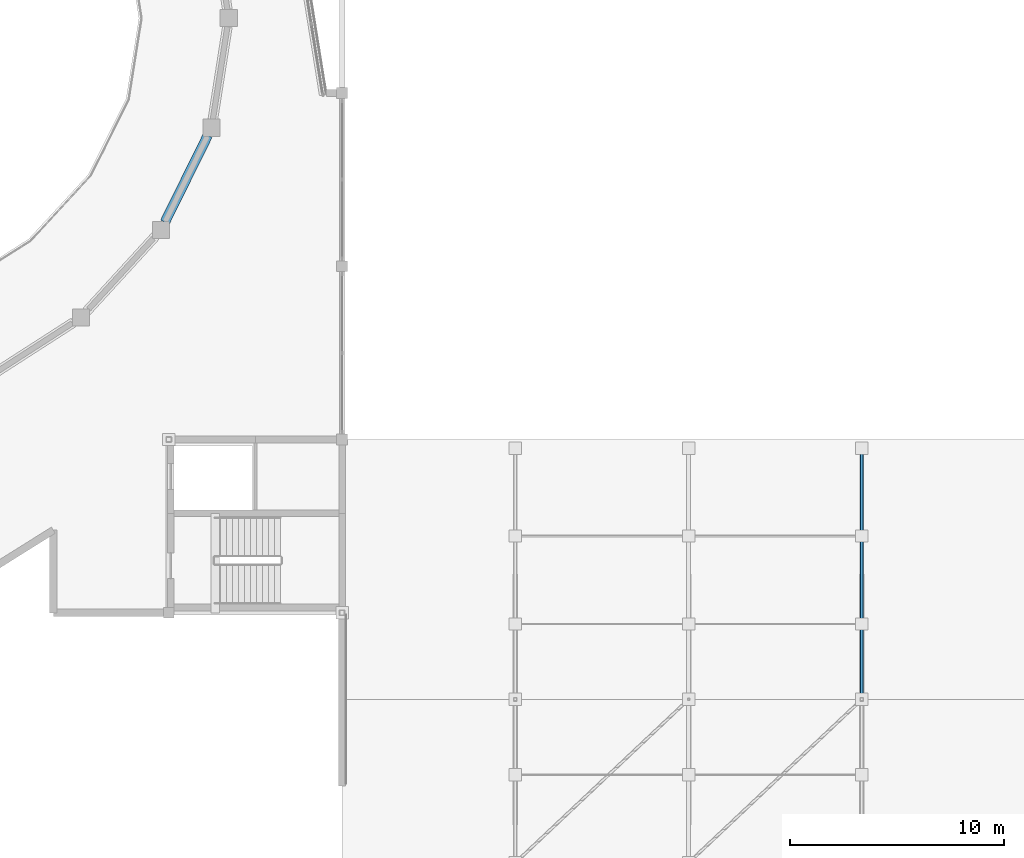
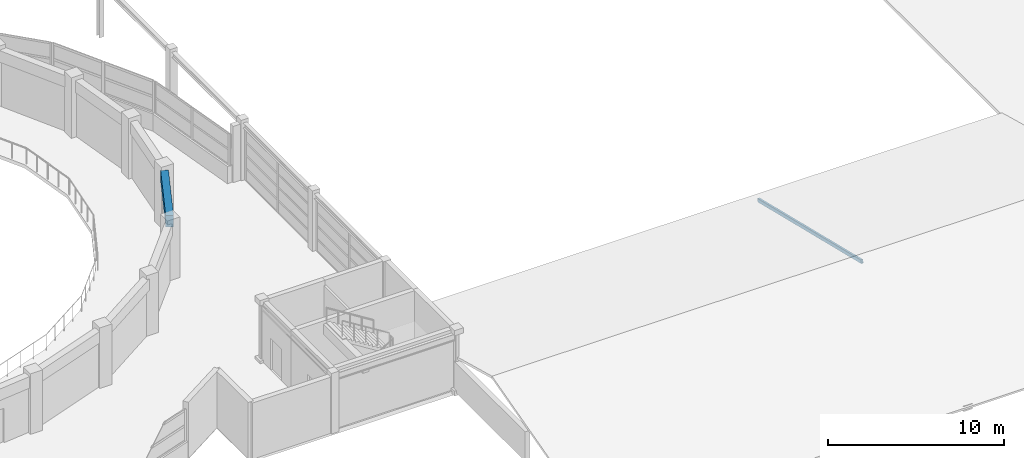
# One storey, part 20 of 54: 1 beam, 1 member.
"""IFC4 building model written with IfcOpenShell, lengths in metres."""

from ifc_helpers import new_model, si_unit, direction, frame, origin, origin_2d, place, context, subcontext, project, spatial, rectangle, hollow_rectangle, extrude, material, material_profile, profile_set, type_object, element, save


model = new_model("IFC4")

# Units and contexts
model_context = context("Model", 3, precision=1e-05, world=origin(), true_north=direction((0.0, 1.0)))
body_context = subcontext(model_context, "Body", "Model", "MODEL_VIEW")
ifc_project = project(units=[si_unit("LENGTHUNIT", "METRE"), si_unit("AREAUNIT", "SQUARE_METRE"), si_unit("VOLUMEUNIT", "CUBIC_METRE"), si_unit("PLANEANGLEUNIT", "RADIAN"), si_unit("MASSUNIT", "GRAM", prefix="KILO")], contexts=[model_context])

# Site, building, storey
site_placement = place(None, origin())
site = spatial("IfcSite", under=ifc_project, at=site_placement, CompositionType="ELEMENT")
building_placement = place(site_placement, origin())
building = spatial("IfcBuilding", under=site, at=building_placement, Name="Parian Resonance Hall", CompositionType="ELEMENT")
storey_placement = place(building_placement, frame((0.0, 0.0, 15.0)))
storey = spatial("IfcBuildingStorey", under=building, at=storey_placement, Name="L03", CompositionType="ELEMENT", Elevation=15.0)

# Beam
ifc_material_1 = material(Name="Concrete C40/50", Category="concrete")
ifc_material_profile_1 = material_profile(ifc_material_1, rectangle(XDim=0.449951171875, YDim=0.800048828125, at=origin_2d()), Name="RC-BM-450x800")
ifc_profile_set_1 = profile_set([ifc_material_profile_1], Name="Concrete C40/50")
beam_type = type_object("IfcBeamType", Name="BM-RC450x800", PredefinedType="USERDEFINED", material=ifc_profile_set_1)
beam_placement = place(storey_placement, frame((64.615234375, 34.458740234375, 3.530029296875), z_axis=(0.442697851544, 0.896670849441, 0.0), x_axis=(-0.896670849441, 0.442697851544, 0.0)))
element("IfcBeam", 1, at=beam_placement, inside=storey, type_object=beam_type, Name="Concert hall drum ring beam L03-23", ObjectType="GIRDER", PredefinedType="USERDEFINED", context=body_context, shape_type="SweptSolid", body=[
    extrude(rectangle(XDim=0.449951171875, YDim=0.800048828125, at=origin_2d()), origin(), (0.0, 0.0, 1.0), 4.525390625),
])

# Member
ifc_material_2 = material(Name="Hollow structural steel S355", Category="steel")
ifc_material_profile_2 = material_profile(ifc_material_2, hollow_rectangle(XDim=0.14990234375, YDim=0.25, WallThickness=0.010009765625, InnerFilletRadius=0.010009765625, OuterFilletRadius=0.02001953125, at=origin_2d()), Name="RHS250x150x10")
ifc_profile_set_2 = profile_set([ifc_material_profile_2], Name="Hollow structural steel S355")
member_type = type_object("IfcMemberType", Name="MEM-RHS250", PredefinedType="RAFTER", material=ifc_profile_set_2)
member_placement = place(storey_placement, frame((97.199951171875, 23.89990234375, 0.0), z_axis=(0.0, -0.971819554994, 0.235726011573), x_axis=(1.0, 0.0, 0.0)))
element("IfcMember", 2, at=member_placement, inside=storey, type_object=member_type, Name="Rehearsal roof north rafter 3", PredefinedType="RAFTER", context=body_context, shape_type="SweptSolid", body=[
    extrude(hollow_rectangle(XDim=0.14990234375, YDim=0.25, WallThickness=0.010009765625, InnerFilletRadius=0.010009765625, OuterFilletRadius=0.02001953125, at=origin_2d()), origin(), (0.0, 0.0, 1.0), 12.0908203125),
])

save(model, "model.ifc")
